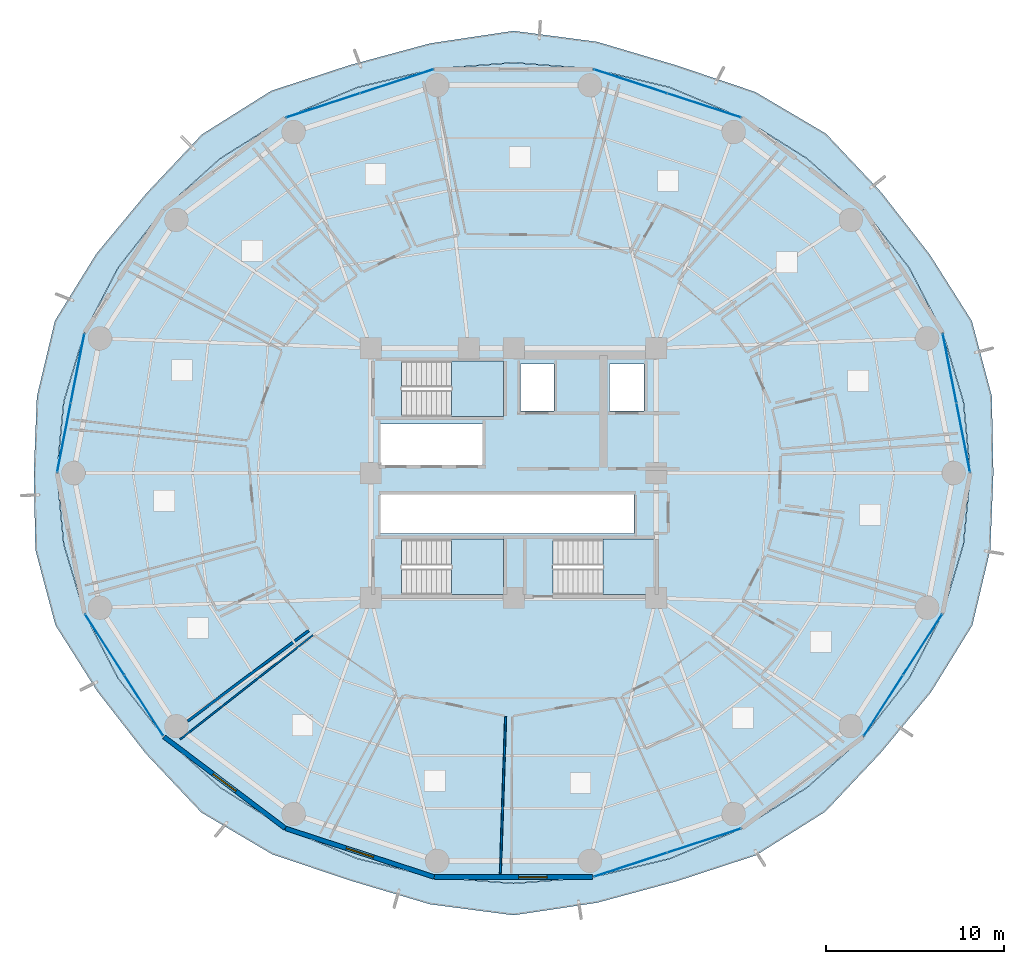
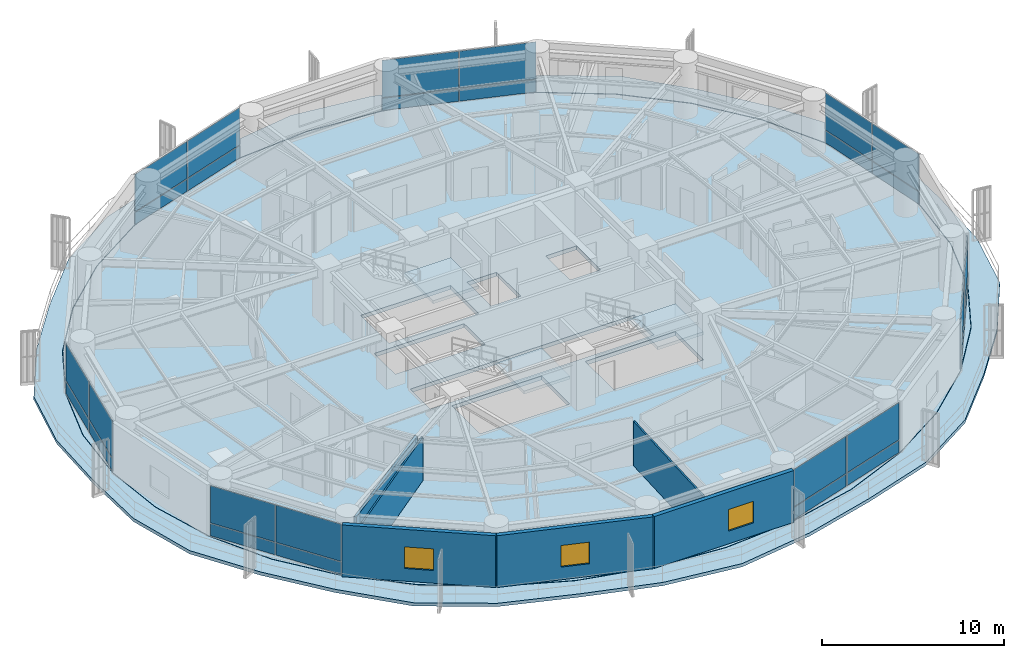
# One storey, part 28 of 38: 28 plates, 6 walls, 5 slabs, 3 windows, 3 openings, 10 elements without a shape of their own.
"""IFC4 building model written with IfcOpenShell, lengths in metres."""

from ifc_helpers import new_model, si_unit, direction, frame, frame_2d, origin, origin_2d, place, context, subcontext, project, spatial, polyline, rectangle, outline, extrude, source, transform, mapped, material, layer, layer_set, type_object, element, fill, aggregate, save


model = new_model("IFC4")

# Units and contexts
model_context = context("Model", 3, precision=1e-05, world=origin(), true_north=direction((0.0, 1.0)))
body_context = subcontext(model_context, "Body", "Model", "MODEL_VIEW")
ifc_project = project(units=[si_unit("LENGTHUNIT", "METRE"), si_unit("AREAUNIT", "SQUARE_METRE"), si_unit("VOLUMEUNIT", "CUBIC_METRE"), si_unit("PLANEANGLEUNIT", "RADIAN"), si_unit("MASSUNIT", "GRAM", prefix="KILO")], contexts=[model_context])

# Site, building, storey
site_placement = place(None, origin())
site = spatial("IfcSite", under=ifc_project, at=site_placement, CompositionType="ELEMENT")
building_placement = place(site_placement, origin())
building = spatial("IfcBuilding", under=site, at=building_placement, Name="Kelanora Arch Commons", CompositionType="ELEMENT")
storey_placement = place(building_placement, frame((0.0, 0.0, 106.35009765625)))
storey = spatial("IfcBuildingStorey", under=building, at=storey_placement, Name="L27", CompositionType="ELEMENT", Elevation=106.35009765625)

# Stair, slab
ifc_material_1 = material(Name="Concrete C40/50", Category="concrete")
stair_type = type_object("IfcStairType", Name="STR-DL-375", PredefinedType="HALF_TURN_STAIR", material=ifc_material_1)
stair_1_placement = place(storey_placement, origin())
stair_1 = element("IfcStair", 1, at=stair_1_placement, inside=storey, type_object=stair_type, Name="L27 ST-T1", PredefinedType="HALF_TURN_STAIR")
ifc_layer_1 = layer(ifc_material_1, 0.199951171875)
ifc_layer_set_1 = layer_set([ifc_layer_1], Name="Concrete C40/50")
slab_type_1 = type_object("IfcSlabType", Name="SLB-STAIR-LND", PredefinedType="LANDING", material=ifc_layer_set_1)
slab_1_placement = place(storey_placement, frame((0.0, 0.0, 1.6748046875)))
slab_1 = element("IfcSlab", 2, at=slab_1_placement, type_object=slab_type_1, Name="ST-T1 landing 1", PredefinedType="LANDING", context=body_context, shape_type="SweptSolid", body=[
    extrude(outline(polyline([(70.52001953125, 61.179931640625), (73.43994140625, 61.179931640625), (73.43994140625, 64.2900390625), (70.52001953125, 64.2900390625), (70.52001953125, 61.179931640625)])), origin(), (0.0, 0.0, 1.0), 0.2001953125),
])
aggregate(stair_1, [slab_1])

stair_2_placement = place(storey_placement, origin())
stair_2 = element("IfcStair", 3, at=stair_2_placement, inside=storey, type_object=stair_type, Name="L27 ST-T2", PredefinedType="HALF_TURN_STAIR")
slab_2_placement = place(storey_placement, frame((0.0, 0.0, 1.6748046875)))
slab_2 = element("IfcSlab", 4, at=slab_2_placement, type_object=slab_type_1, Name="ST-T2 landing 1", PredefinedType="LANDING", context=body_context, shape_type="SweptSolid", body=[
    extrude(outline(polyline([(79.0, 51.179931640625), (81.919921875, 51.179931640625), (81.919921875, 54.2900390625), (79.0, 54.2900390625), (79.0, 51.179931640625)])), origin(), (0.0, 0.0, 1.0), 0.2001953125),
])
aggregate(stair_2, [slab_2])

stair_3_placement = place(storey_placement, origin())
stair_3 = element("IfcStair", 5, at=stair_3_placement, inside=storey, type_object=stair_type, Name="L27 ST-T3", PredefinedType="HALF_TURN_STAIR")
slab_3_placement = place(storey_placement, frame((0.0, 0.0, 1.6748046875)))
slab_3 = element("IfcSlab", 6, at=slab_3_placement, type_object=slab_type_1, Name="ST-T3 landing 1", PredefinedType="LANDING", context=body_context, shape_type="SweptSolid", body=[
    extrude(outline(polyline([(70.52001953125, 51.179931640625), (73.43994140625, 51.179931640625), (73.43994140625, 54.2900390625), (70.52001953125, 54.2900390625), (70.52001953125, 51.179931640625)])), origin(), (0.0, 0.0, 1.0), 0.2001953125),
])
aggregate(stair_3, [slab_3])

# Slabs
ifc_layer_2 = layer(ifc_material_1, 0.260009765625)
ifc_layer_set_2 = layer_set([ifc_layer_2], Name="Concrete C40/50")
slab_type_2 = type_object("IfcSlabType", Name="SLB-TWR-TYP", PredefinedType="FLOOR", material=ifc_layer_set_2)
slab_4_placement = place(storey_placement, frame((0.0, 0.0, -0.260009765625)))
element("IfcSlab", 7, at=slab_4_placement, inside=storey, type_object=slab_type_2, Name="Tower Floor Slab L27", PredefinedType="FLOOR", context=body_context, shape_type="SweptSolid", body=[
    extrude(outline(polyline([(99.60009765625, 58.0), (99.211181640625, 61.993896484375), (98.05615234375, 65.866455078125), (96.17041015625, 69.5), (93.610595703125, 72.7841796875), (90.455322265625, 75.618896484375), (86.800048828125, 77.918701171875), (82.755615234375, 79.61279296875), (78.4453125, 80.650634765625), (74.0, 81.0), (69.5546875, 80.650634765625), (65.244384765625, 79.61279296875), (61.199951171875, 77.918701171875), (57.544677734375, 75.618896484375), (54.389404296875, 72.7841796875), (51.82958984375, 69.5), (49.94384765625, 65.866455078125), (48.788818359375, 61.993896484375), (48.39990234375, 58.0), (48.788818359375, 54.006103515625), (49.94384765625, 50.133544921875), (51.82958984375, 46.5), (54.389404296875, 43.2158203125), (57.544677734375, 40.381103515625), (61.199951171875, 38.081298828125), (65.244384765625, 36.38720703125), (69.5546875, 35.349365234375), (74.0, 35.0), (78.4453125, 35.349365234375), (82.755615234375, 36.38720703125), (86.800048828125, 38.081298828125), (90.455322265625, 40.381103515625), (93.610595703125, 43.2158203125), (96.17041015625, 46.5), (98.05615234375, 50.133544921875), (99.211181640625, 54.006103515625), (99.60009765625, 58.0)]), holes=[polyline([(73.431884765625, 51.18798828125), (67.72802734375, 51.18798828125), (67.72802734375, 54.281982421875), (73.431884765625, 54.281982421875), (73.431884765625, 51.18798828125)]), polyline([(76.2080078125, 51.18798828125), (76.2080078125, 54.281982421875), (81.912109375, 54.281982421875), (81.912109375, 51.18798828125), (76.2080078125, 51.18798828125)]), polyline([(66.550048828125, 54.60009765625), (66.550048828125, 56.800048828125), (80.75, 56.800048828125), (80.75, 54.60009765625), (66.550048828125, 54.60009765625)]), polyline([(66.550048828125, 58.449951171875), (66.550048828125, 60.75), (72.25, 60.75), (72.25, 58.449951171875), (66.550048828125, 58.449951171875)]), polyline([(67.72802734375, 61.18798828125), (67.72802734375, 64.281982421875), (73.431884765625, 64.281982421875), (73.431884765625, 61.18798828125), (67.72802734375, 61.18798828125)]), polyline([(74.3798828125, 61.47998046875), (74.3798828125, 64.1201171875), (76.260009765625, 64.1201171875), (76.260009765625, 61.47998046875), (74.3798828125, 61.47998046875)]), polyline([(79.3798828125, 61.47998046875), (79.3798828125, 64.1201171875), (81.320068359375, 64.1201171875), (81.320068359375, 61.47998046875), (79.3798828125, 61.47998046875)])]), origin(), (0.0, 0.0, 1.0), 0.260009765625),
])
ifc_layer_3 = layer(ifc_material_1, 0.219970703125)
ifc_layer_set_3 = layer_set([ifc_layer_3], Name="Concrete C40/50")
slab_type_3 = type_object("IfcSlabType", Name="SLB-WAVE-BAL", PredefinedType="FLOOR", material=ifc_layer_set_3)
slab_5_placement = place(storey_placement, frame((0.0, 0.0, -0.22021484375)))
element("IfcSlab", 8, at=slab_5_placement, inside=storey, type_object=slab_type_3, Name="Sinusoidal Wave Balcony Slab L27", PredefinedType="FLOOR", context=body_context, shape_type="SweptSolid", body=[
    extrude(outline(polyline([(100.899169921875, 58.0), (100.811279296875, 62.30810546875), (99.689208984375, 66.528076171875), (97.335205078125, 70.24853515625), (94.622802734375, 73.729248046875), (91.51611328125, 77.02587890625), (87.55078125, 79.3662109375), (83.159423828125, 80.847900390625), (78.687255859375, 82.177001953125), (74.0, 82.79150390625), (69.326171875, 82.092529296875), (64.831298828125, 80.8759765625), (60.414306640625, 79.43310546875), (56.517578125, 76.981201171875), (53.418212890625, 73.691162109375), (50.6015625, 70.289306640625), (48.283447265625, 66.539306640625), (47.2724609375, 62.29150390625), (47.100830078125, 58.0), (47.188720703125, 53.69189453125), (48.310791015625, 49.471923828125), (50.664794921875, 45.75146484375), (53.377197265625, 42.270751953125), (56.48388671875, 38.97412109375), (60.44921875, 36.6337890625), (64.840576171875, 35.152099609375), (69.312744140625, 33.822998046875), (74.0, 33.20849609375), (78.673828125, 33.907470703125), (83.168701171875, 35.1240234375), (87.585693359375, 36.56689453125), (91.482421875, 39.018798828125), (94.581787109375, 42.308837890625), (97.3984375, 45.710693359375), (99.716552734375, 49.460693359375), (100.7275390625, 53.70849609375), (100.899169921875, 58.0)]), holes=[polyline([(99.230712890625, 54.002685546875), (98.074951171875, 50.126708984375), (96.1875, 46.489990234375), (93.626220703125, 43.202880859375), (90.46826171875, 40.36572265625), (86.81005859375, 38.064208984375), (82.7626953125, 36.368408203125), (78.448974609375, 35.32958984375), (74.0, 34.97998046875), (69.551025390625, 35.32958984375), (65.2373046875, 36.368408203125), (61.18994140625, 38.064208984375), (57.53173828125, 40.36572265625), (54.373779296875, 43.202880859375), (51.8125, 46.489990234375), (49.925048828125, 50.126708984375), (48.769287109375, 54.002685546875), (48.3798828125, 58.0), (48.769287109375, 61.997314453125), (49.925048828125, 65.873291015625), (51.8125, 69.510009765625), (54.373779296875, 72.797119140625), (57.53173828125, 75.63427734375), (61.18994140625, 77.935791015625), (65.2373046875, 79.631591796875), (69.551025390625, 80.67041015625), (74.0, 81.02001953125), (78.448974609375, 80.67041015625), (82.7626953125, 79.631591796875), (86.81005859375, 77.935791015625), (90.46826171875, 75.63427734375), (93.626220703125, 72.797119140625), (96.1875, 69.510009765625), (98.074951171875, 65.873291015625), (99.230712890625, 61.997314453125), (99.6201171875, 58.0), (99.230712890625, 54.002685546875)])]), origin(), (0.0, 0.0, 1.0), 0.22021484375),
])

# Curtain wall, plates
ifc_material_2 = material(Name="Terracotta ceramic-fritted low-E glass and aluminium", Category="masonry")
ifc_layer_4 = layer(ifc_material_2, 0.159912109375)
ifc_layer_set_4 = layer_set([ifc_layer_4], Name="Terracotta ceramic-fritted low-E glass and aluminium")
curtain_wall_type = type_object("IfcCurtainWallType", Name="CW-SYS-01", PredefinedType="NOTDEFINED", material=ifc_layer_set_4)
curtain_wall_1_placement = place(storey_placement, origin())
curtain_wall_1 = element("IfcCurtainWall", 9, at=curtain_wall_1_placement, inside=storey, type_object=curtain_wall_type, Name="Unitised Curtain Wall L27-B00", PredefinedType="NOTDEFINED")
ifc_material_3 = material(Name="Terracotta ceramic-fritted double glazing", Category="masonry")
ifc_layer_5 = layer(ifc_material_3, 0.028076171875)
ifc_layer_set_5 = layer_set([ifc_layer_5], Name="Terracotta ceramic-fritted double glazing")
plate_type = type_object("IfcPlateType", Name="CWP-FRIT", PredefinedType="CURTAIN_PANEL", material=ifc_layer_set_5)
shared_shape_1 = source(origin(), body_context, "Body", "SweptSolid", [
    extrude(rectangle(XDim=3.9033203125, YDim=0.028076171875, at=origin_2d()), origin(), (0.0, 0.0, 1.0), 0.81005859375),
])
plate_1_placement = place(storey_placement, frame((99.209716796875, 59.98876953125, 0.059814453125), z_axis=(0.0, 0.0, 1.0), x_axis=(-0.192584916272, 0.981280311646, 0.0)))
plate_1 = element("IfcPlate", 10, at=plate_1_placement, type_object=plate_type, Name="CW-01 panel 1.1", PredefinedType="CURTAIN_PANEL", context=body_context, shape_type="MappedRepresentation", body=[
    mapped(shared_shape_1, transform((0.0, 0.0, 0.0), scale=1.0)),
])
plate_2_placement = place(storey_placement, frame((98.446533203125, 63.877685546875, 0.059814453125), z_axis=(0.0, 0.0, 1.0), x_axis=(-0.192584916272, 0.981280311646, 0.0)))
plate_2 = element("IfcPlate", 11, at=plate_2_placement, type_object=plate_type, Name="CW-01 panel 2.1", PredefinedType="CURTAIN_PANEL", context=body_context, shape_type="MappedRepresentation", body=[
    mapped(shared_shape_1, transform((0.0, 0.0, 0.0), scale=1.0)),
])

curtain_wall_2_placement = place(storey_placement, origin())
curtain_wall_2 = element("IfcCurtainWall", 12, at=curtain_wall_2_placement, inside=storey, type_object=curtain_wall_type, Name="Unitised Curtain Wall L27-B08", PredefinedType="NOTDEFINED")
plate_3_placement = place(storey_placement, frame((49.553466796875, 63.877685546875, 0.059814453125), z_axis=(0.0, 0.0, 1.0), x_axis=(-0.192584916272, -0.981280311646, 0.0)))
plate_3 = element("IfcPlate", 13, at=plate_3_placement, type_object=plate_type, Name="CW-01 panel 1.1", PredefinedType="CURTAIN_PANEL", context=body_context, shape_type="MappedRepresentation", body=[
    mapped(shared_shape_1, transform((0.0, 0.0, 0.0), scale=1.0)),
])
plate_4_placement = place(storey_placement, frame((48.790283203125, 59.98876953125, 0.059814453125), z_axis=(0.0, 0.0, 1.0), x_axis=(-0.192584916272, -0.981280311646, 0.0)))
plate_4 = element("IfcPlate", 14, at=plate_4_placement, type_object=plate_type, Name="CW-01 panel 2.1", PredefinedType="CURTAIN_PANEL", context=body_context, shape_type="MappedRepresentation", body=[
    mapped(shared_shape_1, transform((0.0, 0.0, 0.0), scale=1.0)),
])

# Plate
shared_shape_2 = source(origin(), body_context, "Body", "SweptSolid", [
    extrude(rectangle(XDim=3.9033203125, YDim=0.028076171875, at=origin_2d()), origin(), (0.0, 0.0, 1.0), 2.485107421875),
])
plate_5_placement = place(storey_placement, frame((99.209716796875, 59.98876953125, 0.9296875), z_axis=(0.0, 0.0, 1.0), x_axis=(-0.192584916272, 0.981280311646, 0.0)))
plate_5 = element("IfcPlate", 15, at=plate_5_placement, type_object=plate_type, Name="CW-01 panel 1.2", PredefinedType="CURTAIN_PANEL", context=body_context, shape_type="MappedRepresentation", body=[
    mapped(shared_shape_2, transform((0.0, 0.0, 0.0), scale=1.0)),
])

plate_6_placement = place(storey_placement, frame((98.446533203125, 63.877685546875, 0.9296875), z_axis=(0.0, 0.0, 1.0), x_axis=(-0.192584916272, 0.981280311646, 0.0)))
plate_6 = element("IfcPlate", 16, at=plate_6_placement, type_object=plate_type, Name="CW-01 panel 2.2", PredefinedType="CURTAIN_PANEL", context=body_context, shape_type="MappedRepresentation", body=[
    mapped(shared_shape_2, transform((0.0, 0.0, 0.0), scale=1.0)),
])

aggregate(curtain_wall_1, [plate_1, plate_5, plate_2, plate_6])

plate_7_placement = place(storey_placement, frame((49.553466796875, 63.877685546875, 0.9296875), z_axis=(0.0, 0.0, 1.0), x_axis=(-0.192584916272, -0.981280311646, 0.0)))
plate_7 = element("IfcPlate", 17, at=plate_7_placement, type_object=plate_type, Name="CW-01 panel 1.2", PredefinedType="CURTAIN_PANEL", context=body_context, shape_type="MappedRepresentation", body=[
    mapped(shared_shape_2, transform((0.0, 0.0, 0.0), scale=1.0)),
])

plate_8_placement = place(storey_placement, frame((48.790283203125, 59.98876953125, 0.9296875), z_axis=(0.0, 0.0, 1.0), x_axis=(-0.192584916272, -0.981280311646, 0.0)))
plate_8 = element("IfcPlate", 18, at=plate_8_placement, type_object=plate_type, Name="CW-01 panel 2.2", PredefinedType="CURTAIN_PANEL", context=body_context, shape_type="MappedRepresentation", body=[
    mapped(shared_shape_2, transform((0.0, 0.0, 0.0), scale=1.0)),
])

aggregate(curtain_wall_2, [plate_3, plate_7, plate_4, plate_8])

# Curtain wall, plates
curtain_wall_3_placement = place(storey_placement, origin())
curtain_wall_3 = element("IfcCurtainWall", 19, at=curtain_wall_3_placement, inside=storey, type_object=curtain_wall_type, Name="Unitised Curtain Wall L27-B03", PredefinedType="NOTDEFINED")
shared_shape_3 = source(origin(), body_context, "Body", "SweptSolid", [
    extrude(rectangle(XDim=4.2900390625, YDim=0.028076171875, at=origin_2d()), origin(), (0.0, 0.0, 1.0), 0.81005859375),
])
plate_9_placement = place(storey_placement, frame((84.68994140625, 78.608642578125, 0.059814453125), z_axis=(0.0, 0.0, 1.0), x_axis=(-0.950473795867, 0.31080470294, 0.0)))
plate_9 = element("IfcPlate", 20, at=plate_9_placement, type_object=plate_type, Name="CW-01 panel 1.1", PredefinedType="CURTAIN_PANEL", context=body_context, shape_type="MappedRepresentation", body=[
    mapped(shared_shape_3, transform((0.0, 0.0, 0.0), scale=1.0)),
])
plate_10_placement = place(storey_placement, frame((80.555419921875, 79.960693359375, 0.059814453125), z_axis=(0.0, 0.0, 1.0), x_axis=(-0.950473795867, 0.31080470294, 0.0)))
plate_10 = element("IfcPlate", 21, at=plate_10_placement, type_object=plate_type, Name="CW-01 panel 2.1", PredefinedType="CURTAIN_PANEL", context=body_context, shape_type="MappedRepresentation", body=[
    mapped(shared_shape_3, transform((0.0, 0.0, 0.0), scale=1.0)),
])

curtain_wall_4_placement = place(storey_placement, origin())
curtain_wall_4 = element("IfcCurtainWall", 22, at=curtain_wall_4_placement, inside=storey, type_object=curtain_wall_type, Name="Unitised Curtain Wall L27-B05", PredefinedType="NOTDEFINED")
plate_11_placement = place(storey_placement, frame((67.444580078125, 79.960693359375, 0.059814453125), z_axis=(0.0, 0.0, 1.0), x_axis=(-0.950473795867, -0.31080470294, 0.0)))
plate_11 = element("IfcPlate", 23, at=plate_11_placement, type_object=plate_type, Name="CW-01 panel 1.1", PredefinedType="CURTAIN_PANEL", context=body_context, shape_type="MappedRepresentation", body=[
    mapped(shared_shape_3, transform((0.0, 0.0, 0.0), scale=1.0)),
])
plate_12_placement = place(storey_placement, frame((63.31005859375, 78.608642578125, 0.059814453125), z_axis=(0.0, 0.0, 1.0), x_axis=(-0.950473795867, -0.31080470294, 0.0)))
plate_12 = element("IfcPlate", 24, at=plate_12_placement, type_object=plate_type, Name="CW-01 panel 2.1", PredefinedType="CURTAIN_PANEL", context=body_context, shape_type="MappedRepresentation", body=[
    mapped(shared_shape_3, transform((0.0, 0.0, 0.0), scale=1.0)),
])

curtain_wall_5_placement = place(storey_placement, origin())
curtain_wall_5 = element("IfcCurtainWall", 25, at=curtain_wall_5_placement, inside=storey, type_object=curtain_wall_type, Name="Unitised Curtain Wall L27-B14", PredefinedType="NOTDEFINED")
plate_13_placement = place(storey_placement, frame((80.555419921875, 36.039306640625, 0.059814453125), z_axis=(0.0, 0.0, 1.0), x_axis=(0.950473795867, 0.31080470294, 0.0)))
plate_13 = element("IfcPlate", 26, at=plate_13_placement, type_object=plate_type, Name="CW-01 panel 1.1", PredefinedType="CURTAIN_PANEL", context=body_context, shape_type="MappedRepresentation", body=[
    mapped(shared_shape_3, transform((0.0, 0.0, 0.0), scale=1.0)),
])
plate_14_placement = place(storey_placement, frame((84.68994140625, 37.391357421875, 0.059814453125), z_axis=(0.0, 0.0, 1.0), x_axis=(0.950473795867, 0.31080470294, 0.0)))
plate_14 = element("IfcPlate", 27, at=plate_14_placement, type_object=plate_type, Name="CW-01 panel 2.1", PredefinedType="CURTAIN_PANEL", context=body_context, shape_type="MappedRepresentation", body=[
    mapped(shared_shape_3, transform((0.0, 0.0, 0.0), scale=1.0)),
])

# Plate
shared_shape_4 = source(origin(), body_context, "Body", "SweptSolid", [
    extrude(rectangle(XDim=4.2900390625, YDim=0.028076171875, at=origin_2d()), origin(), (0.0, 0.0, 1.0), 2.485107421875),
])
plate_15_placement = place(storey_placement, frame((84.68994140625, 78.608642578125, 0.9296875), z_axis=(0.0, 0.0, 1.0), x_axis=(-0.950473795867, 0.31080470294, 0.0)))
plate_15 = element("IfcPlate", 28, at=plate_15_placement, type_object=plate_type, Name="CW-01 panel 1.2", PredefinedType="CURTAIN_PANEL", context=body_context, shape_type="MappedRepresentation", body=[
    mapped(shared_shape_4, transform((0.0, 0.0, 0.0), scale=1.0)),
])

plate_16_placement = place(storey_placement, frame((80.555419921875, 79.960693359375, 0.9296875), z_axis=(0.0, 0.0, 1.0), x_axis=(-0.950473795867, 0.31080470294, 0.0)))
plate_16 = element("IfcPlate", 29, at=plate_16_placement, type_object=plate_type, Name="CW-01 panel 2.2", PredefinedType="CURTAIN_PANEL", context=body_context, shape_type="MappedRepresentation", body=[
    mapped(shared_shape_4, transform((0.0, 0.0, 0.0), scale=1.0)),
])

aggregate(curtain_wall_3, [plate_9, plate_15, plate_10, plate_16])

plate_17_placement = place(storey_placement, frame((67.444580078125, 79.960693359375, 0.9296875), z_axis=(0.0, 0.0, 1.0), x_axis=(-0.950473795867, -0.31080470294, 0.0)))
plate_17 = element("IfcPlate", 30, at=plate_17_placement, type_object=plate_type, Name="CW-01 panel 1.2", PredefinedType="CURTAIN_PANEL", context=body_context, shape_type="MappedRepresentation", body=[
    mapped(shared_shape_4, transform((0.0, 0.0, 0.0), scale=1.0)),
])

plate_18_placement = place(storey_placement, frame((63.31005859375, 78.608642578125, 0.9296875), z_axis=(0.0, 0.0, 1.0), x_axis=(-0.950473795867, -0.31080470294, 0.0)))
plate_18 = element("IfcPlate", 31, at=plate_18_placement, type_object=plate_type, Name="CW-01 panel 2.2", PredefinedType="CURTAIN_PANEL", context=body_context, shape_type="MappedRepresentation", body=[
    mapped(shared_shape_4, transform((0.0, 0.0, 0.0), scale=1.0)),
])

aggregate(curtain_wall_4, [plate_11, plate_17, plate_12, plate_18])

plate_19_placement = place(storey_placement, frame((80.555419921875, 36.039306640625, 0.9296875), z_axis=(0.0, 0.0, 1.0), x_axis=(0.950473795867, 0.31080470294, 0.0)))
plate_19 = element("IfcPlate", 32, at=plate_19_placement, type_object=plate_type, Name="CW-01 panel 1.2", PredefinedType="CURTAIN_PANEL", context=body_context, shape_type="MappedRepresentation", body=[
    mapped(shared_shape_4, transform((0.0, 0.0, 0.0), scale=1.0)),
])

plate_20_placement = place(storey_placement, frame((84.68994140625, 37.391357421875, 0.9296875), z_axis=(0.0, 0.0, 1.0), x_axis=(0.950473795867, 0.31080470294, 0.0)))
plate_20 = element("IfcPlate", 33, at=plate_20_placement, type_object=plate_type, Name="CW-01 panel 2.2", PredefinedType="CURTAIN_PANEL", context=body_context, shape_type="MappedRepresentation", body=[
    mapped(shared_shape_4, transform((0.0, 0.0, 0.0), scale=1.0)),
])

aggregate(curtain_wall_5, [plate_13, plate_19, plate_14, plate_20])

# Curtain wall, plates
curtain_wall_6_placement = place(storey_placement, origin())
curtain_wall_6 = element("IfcCurtainWall", 34, at=curtain_wall_6_placement, inside=storey, type_object=curtain_wall_type, Name="Unitised Curtain Wall L27-B10", PredefinedType="NOTDEFINED")
shared_shape_5 = source(origin(), body_context, "Body", "SweptSolid", [
    extrude(rectangle(XDim=4.00634765625, YDim=0.028076171875, at=origin_2d()), origin(), (0.0, 0.0, 1.0), 0.81005859375),
])
plate_21_placement = place(storey_placement, frame((51.0673828125, 48.38525390625, 0.059814453125), z_axis=(0.0, 0.0, 1.0), x_axis=(0.540616931244, -0.841268883088, 0.0)))
plate_21 = element("IfcPlate", 35, at=plate_21_placement, type_object=plate_type, Name="CW-01 panel 1.1", PredefinedType="CURTAIN_PANEL", context=body_context, shape_type="MappedRepresentation", body=[
    mapped(shared_shape_5, transform((0.0, 0.0, 0.0), scale=1.0)),
])
plate_22_placement = place(storey_placement, frame((53.265869140625, 44.964111328125, 0.059814453125), z_axis=(0.0, 0.0, 1.0), x_axis=(0.540616931244, -0.841268883088, 0.0)))
plate_22 = element("IfcPlate", 36, at=plate_22_placement, type_object=plate_type, Name="CW-01 panel 2.1", PredefinedType="CURTAIN_PANEL", context=body_context, shape_type="MappedRepresentation", body=[
    mapped(shared_shape_5, transform((0.0, 0.0, 0.0), scale=1.0)),
])

curtain_wall_7_placement = place(storey_placement, origin())
curtain_wall_7 = element("IfcCurtainWall", 37, at=curtain_wall_7_placement, inside=storey, type_object=curtain_wall_type, Name="Unitised Curtain Wall L27-B16", PredefinedType="NOTDEFINED")
plate_23_placement = place(storey_placement, frame((94.734130859375, 44.964111328125, 0.059814453125), z_axis=(0.0, 0.0, 1.0), x_axis=(0.540616931244, 0.841268883088, 0.0)))
plate_23 = element("IfcPlate", 38, at=plate_23_placement, type_object=plate_type, Name="CW-01 panel 1.1", PredefinedType="CURTAIN_PANEL", context=body_context, shape_type="MappedRepresentation", body=[
    mapped(shared_shape_5, transform((0.0, 0.0, 0.0), scale=1.0)),
])
plate_24_placement = place(storey_placement, frame((96.9326171875, 48.38525390625, 0.059814453125), z_axis=(0.0, 0.0, 1.0), x_axis=(0.540616931244, 0.841268883088, 0.0)))
plate_24 = element("IfcPlate", 39, at=plate_24_placement, type_object=plate_type, Name="CW-01 panel 2.1", PredefinedType="CURTAIN_PANEL", context=body_context, shape_type="MappedRepresentation", body=[
    mapped(shared_shape_5, transform((0.0, 0.0, 0.0), scale=1.0)),
])

# Plate
shared_shape_6 = source(origin(), body_context, "Body", "SweptSolid", [
    extrude(rectangle(XDim=4.00634765625, YDim=0.028076171875, at=origin_2d()), origin(), (0.0, 0.0, 1.0), 2.485107421875),
])
plate_25_placement = place(storey_placement, frame((51.0673828125, 48.38525390625, 0.9296875), z_axis=(0.0, 0.0, 1.0), x_axis=(0.540616931244, -0.841268883088, 0.0)))
plate_25 = element("IfcPlate", 40, at=plate_25_placement, type_object=plate_type, Name="CW-01 panel 1.2", PredefinedType="CURTAIN_PANEL", context=body_context, shape_type="MappedRepresentation", body=[
    mapped(shared_shape_6, transform((0.0, 0.0, 0.0), scale=1.0)),
])

plate_26_placement = place(storey_placement, frame((53.265869140625, 44.964111328125, 0.9296875), z_axis=(0.0, 0.0, 1.0), x_axis=(0.540616931244, -0.841268883088, 0.0)))
plate_26 = element("IfcPlate", 41, at=plate_26_placement, type_object=plate_type, Name="CW-01 panel 2.2", PredefinedType="CURTAIN_PANEL", context=body_context, shape_type="MappedRepresentation", body=[
    mapped(shared_shape_6, transform((0.0, 0.0, 0.0), scale=1.0)),
])

aggregate(curtain_wall_6, [plate_21, plate_25, plate_22, plate_26])

plate_27_placement = place(storey_placement, frame((94.734130859375, 44.964111328125, 0.9296875), z_axis=(0.0, 0.0, 1.0), x_axis=(0.540616931244, 0.841268883088, 0.0)))
plate_27 = element("IfcPlate", 42, at=plate_27_placement, type_object=plate_type, Name="CW-01 panel 1.2", PredefinedType="CURTAIN_PANEL", context=body_context, shape_type="MappedRepresentation", body=[
    mapped(shared_shape_6, transform((0.0, 0.0, 0.0), scale=1.0)),
])

plate_28_placement = place(storey_placement, frame((96.9326171875, 48.38525390625, 0.9296875), z_axis=(0.0, 0.0, 1.0), x_axis=(0.540616931244, 0.841268883088, 0.0)))
plate_28 = element("IfcPlate", 43, at=plate_28_placement, type_object=plate_type, Name="CW-01 panel 2.2", PredefinedType="CURTAIN_PANEL", context=body_context, shape_type="MappedRepresentation", body=[
    mapped(shared_shape_6, transform((0.0, 0.0, 0.0), scale=1.0)),
])

aggregate(curtain_wall_7, [plate_23, plate_27, plate_24, plate_28])

# Wall
ifc_material_4 = material(Name="Autoclaved aerated concrete blockwork with fire plaster", Category="masonry")
ifc_layer_6 = layer(ifc_material_4, 0.14990234375)
ifc_layer_set_6 = layer_set([ifc_layer_6], Name="Autoclaved aerated concrete blockwork with fire plaster")
wall_type_1 = type_object("IfcWallType", Name="W-COMP-150", PredefinedType="PARTITIONING", material=ifc_layer_set_6)
wall_1_placement = place(storey_placement, frame((62.5048828125, 49.16015625, 0.0), z_axis=(0.0, 0.0, 1.0), x_axis=(-0.801231684565, -0.598354232582, 0.0)))
element("IfcWall", 44, at=wall_1_placement, inside=storey, type_object=wall_type_1, Name="Co-Living Studio L27-09 Enclosure Partition 2", PredefinedType="PARTITIONING", context=body_context, shape_type="SweptSolid", body=[
    extrude(rectangle(XDim=8.456298828125, YDim=0.14990234375, at=frame_2d((4.22802734375, 0.0))), origin(), (0.0, 0.0, 1.0), 2.9248046875),
])

# Wall, opening, window
ifc_material_5 = material(Name="Precast concrete C40/50 with terracotta rainscreen", Category="masonry")
ifc_layer_7 = layer(ifc_material_5, 0.260009765625)
ifc_layer_set_7 = layer_set([ifc_layer_7], Name="Precast concrete C40/50 with terracotta rainscreen")
wall_type_2 = type_object("IfcWallType", Name="W-EXT-TC", PredefinedType="SOLIDWALL", material=ifc_layer_set_7)
wall_2_placement = place(storey_placement, frame((54.4013671875, 43.206787109375, 0.0), z_axis=(0.0, 0.0, 1.0), x_axis=(0.798501507879, -0.601992808857, 0.0)))
wall_2 = element("IfcWall", 45, at=wall_2_placement, inside=storey, type_object=wall_type_2, Name="Terracotta Exterior Wall L27-B11", PredefinedType="SOLIDWALL", context=body_context, shape_type="SweptSolid", body=[
    extrude(rectangle(XDim=8.499267578125, YDim=0.260009765625, at=frame_2d((4.24951171875, 0.0))), origin(), (0.0, 0.0, 1.0), 3.474853515625),
])
opening_1_placement = place(wall_2_placement, frame((3.449951171875, 0.0, 0.85009765625)))
opening_1 = element("IfcOpeningElement", 46, at=opening_1_placement, cuts=wall_2, Name="Opening WN-01", PredefinedType="OPENING", context=body_context, shape_type="SweptSolid", body=[
    extrude(rectangle(XDim=1.60009765625, YDim=1.449951171875, at=frame_2d((0.800048828125, 0.72509765625))), frame((0.0, 0.14013671875, 0.0), z_axis=(0.0, -1.0, 0.0), x_axis=(1.0, 0.0, 0.0)), (0.0, 0.0, 1.0), 0.280029296875),
])
ifc_material_6 = material(Name="Terracotta-anodised aluminium frame with operable low-E glazing", Category="masonry")
window_type = type_object("IfcWindowType", Name="WIN-CL-18", PartitioningType="DOUBLE_PANEL_VERTICAL", PredefinedType="WINDOW", material=ifc_material_6)
window_1_placement = place(opening_1_placement, origin())
window_1 = element("IfcWindow", 47, at=window_1_placement, inside=storey, type_object=window_type, Name="Co-Living Operable Window L27-B11", OverallHeight=1.449951171875, OverallWidth=1.60009765625, PartitioningType="SINGLE_PANEL", PredefinedType="WINDOW", context=body_context, shape_type="SweptSolid", body=[
    extrude(rectangle(XDim=1.60009765625, YDim=1.449951171875, at=frame_2d((0.800048828125, 0.72509765625))), frame((0.0, 0.030029296875, 0.0), z_axis=(0.0, -1.0, 0.0), x_axis=(1.0, 0.0, 0.0)), (0.0, 0.0, 1.0), 0.06005859375),
])
fill(opening_1, window_1)

wall_3_placement = place(storey_placement, frame((61.21435546875, 38.07666015625, 0.0), z_axis=(0.0, 0.0, 1.0), x_axis=(0.950471101963, -0.310812941064, 0.0)))
wall_3 = element("IfcWall", 48, at=wall_3_placement, inside=storey, type_object=wall_type_2, Name="Terracotta Exterior Wall L27-B12", PredefinedType="SOLIDWALL", context=body_context, shape_type="SweptSolid", body=[
    extrude(rectangle(XDim=8.759765625, YDim=0.260009765625, at=frame_2d((4.3798828125, 0.0))), origin(), (0.0, 0.0, 1.0), 3.474853515625),
])
opening_2_placement = place(wall_3_placement, frame((3.580078125, 0.0, 0.85009765625)))
opening_2 = element("IfcOpeningElement", 49, at=opening_2_placement, cuts=wall_3, Name="Opening WN-01", PredefinedType="OPENING", context=body_context, shape_type="SweptSolid", body=[
    extrude(rectangle(XDim=1.60009765625, YDim=1.449951171875, at=frame_2d((0.800048828125, 0.72509765625))), frame((0.0, 0.14013671875, 0.0), z_axis=(0.0, -1.0, 0.0), x_axis=(1.0, 0.0, 0.0)), (0.0, 0.0, 1.0), 0.280029296875),
])
window_2_placement = place(opening_2_placement, origin())
window_2 = element("IfcWindow", 50, at=window_2_placement, inside=storey, type_object=window_type, Name="Co-Living Operable Window L27-B12", OverallHeight=1.449951171875, OverallWidth=1.60009765625, PartitioningType="SINGLE_PANEL", PredefinedType="WINDOW", context=body_context, shape_type="SweptSolid", body=[
    extrude(rectangle(XDim=1.60009765625, YDim=1.449951171875, at=frame_2d((0.800048828125, 0.72509765625))), frame((0.0, 0.030029296875, 0.0), z_axis=(0.0, -1.0, 0.0), x_axis=(1.0, 0.0, 0.0)), (0.0, 0.0, 1.0), 0.06005859375),
])
fill(opening_2, window_2)

wall_4_placement = place(storey_placement, frame((69.569580078125, 35.349365234375, 0.0), z_axis=(0.0, 0.0, 1.0), x_axis=(1.0, 0.0, 0.0)))
wall_4 = element("IfcWall", 51, at=wall_4_placement, inside=storey, type_object=wall_type_2, Name="Terracotta Exterior Wall L27-B13", PredefinedType="SOLIDWALL", context=body_context, shape_type="SweptSolid", body=[
    extrude(rectangle(XDim=8.86083984375, YDim=0.260009765625, at=frame_2d((4.430419921875, 0.0))), origin(), (0.0, 0.0, 1.0), 3.474853515625),
])
opening_3_placement = place(wall_4_placement, frame((4.7099609375, 0.0, 0.85009765625)))
opening_3 = element("IfcOpeningElement", 52, at=opening_3_placement, cuts=wall_4, Name="Opening WN-01", PredefinedType="OPENING", context=body_context, shape_type="SweptSolid", body=[
    extrude(rectangle(XDim=1.60009765625, YDim=1.449951171875, at=frame_2d((0.800048828125, 0.72509765625))), frame((0.0, 0.14013671875, 0.0), z_axis=(0.0, -1.0, 0.0), x_axis=(1.0, 0.0, 0.0)), (0.0, 0.0, 1.0), 0.280029296875),
])
window_3_placement = place(opening_3_placement, origin())
window_3 = element("IfcWindow", 53, at=window_3_placement, inside=storey, type_object=window_type, Name="Co-Living Operable Window L27-B13", OverallHeight=1.449951171875, OverallWidth=1.60009765625, PartitioningType="SINGLE_PANEL", PredefinedType="WINDOW", context=body_context, shape_type="SweptSolid", body=[
    extrude(rectangle(XDim=1.60009765625, YDim=1.449951171875, at=frame_2d((0.800048828125, 0.72509765625))), frame((0.0, 0.030029296875, 0.0), z_axis=(0.0, -1.0, 0.0), x_axis=(1.0, 0.0, 0.0)), (0.0, 0.0, 1.0), 0.06005859375),
])
fill(opening_3, window_3)

# Walls
ifc_material_7 = material(Name="Lightweight fire-rated acoustic stud partition")
ifc_layer_8 = layer(ifc_material_7, 0.10009765625)
ifc_layer_set_8 = layer_set([ifc_layer_8], Name="Lightweight fire-rated acoustic stud partition")
wall_type_3 = type_object("IfcWallType", Name="W-PART-100", PredefinedType="PARTITIONING", material=ifc_layer_set_8)
wall_5_placement = place(storey_placement, frame((55.305419921875, 43.07080078125, 0.0), z_axis=(0.0, 0.0, 1.0), x_axis=(0.78679196563, 0.6172182781, 0.0)))
element("IfcWall", 54, at=wall_5_placement, inside=storey, type_object=wall_type_3, Name="Communal Dining and Social Hall L27-10 Enclosure Partition 4", PredefinedType="PARTITIONING", context=body_context, shape_type="SweptSolid", body=[
    extrude(rectangle(XDim=9.45751953125, YDim=0.10009765625, at=frame_2d((4.728759765625, 0.0))), origin(), (0.0, 0.0, 1.0), 2.9248046875),
])
wall_6_placement = place(storey_placement, frame((73.552734375, 44.3359375, 0.0), z_axis=(0.0, 0.0, 1.0), x_axis=(-0.033680921614, -0.999432636809, 0.0)))
element("IfcWall", 55, at=wall_6_placement, inside=storey, type_object=wall_type_3, Name="Quiet Seminar Study Room L27-11 Enclosure Partition 2", PredefinedType="PARTITIONING", context=body_context, shape_type="SweptSolid", body=[
    extrude(rectangle(XDim=8.770751953125, YDim=0.10009765625, at=frame_2d((4.38525390625, 0.0))), origin(), (0.0, 0.0, 1.0), 2.974853515625),
])

save(model, "model.ifc")
